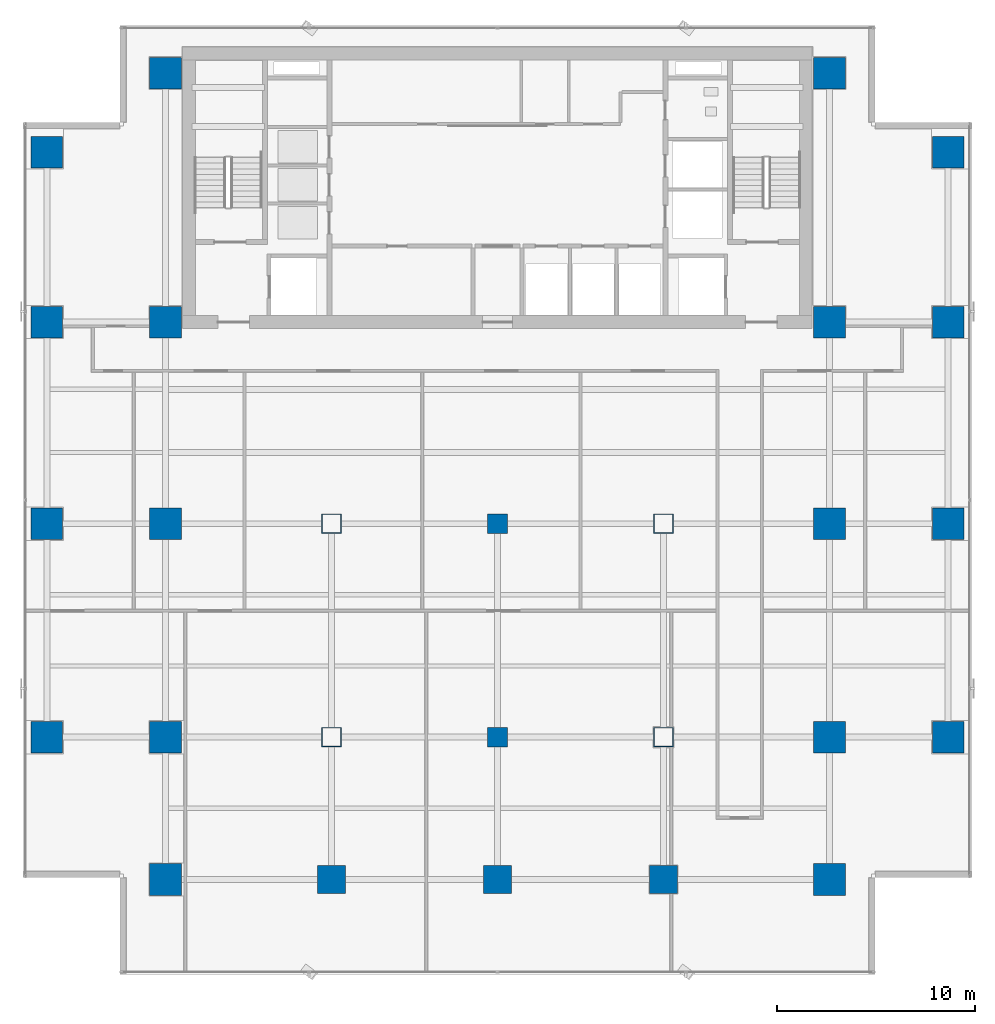
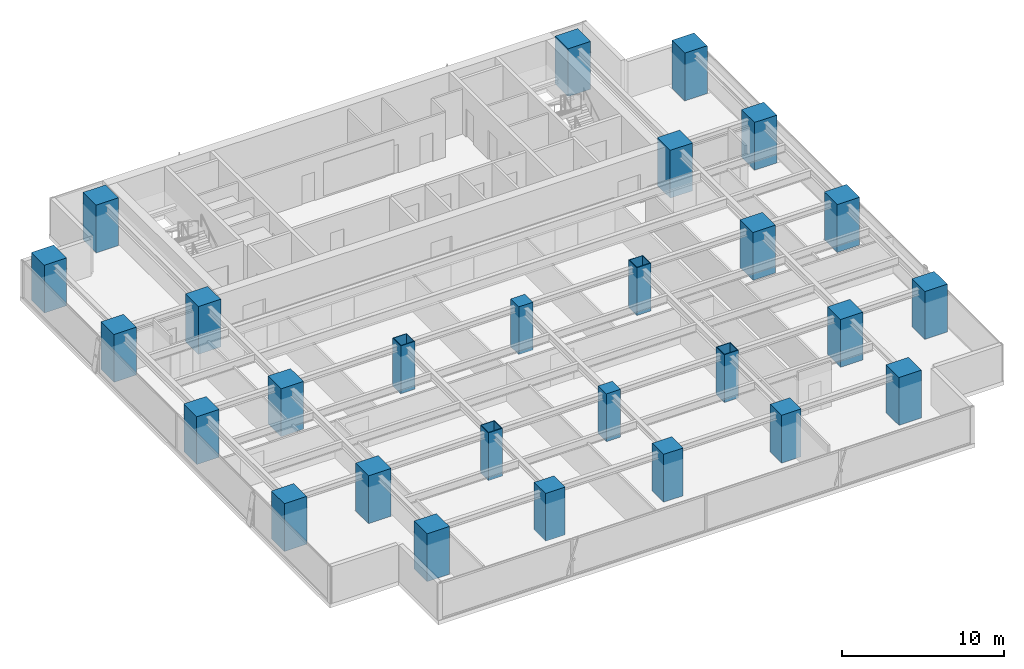
# One storey, part 1 of 29: 27 columns.
"""IFC4 building model written with IfcOpenShell, lengths in metres."""

from ifc_helpers import new_model, si_unit, direction, frame, origin, origin_2d, place, context, subcontext, project, spatial, rectangle, hollow_rectangle, extrude, source, transform, mapped, material, material_profile, profile_set, type_object, element, save


model = new_model("IFC4")

# Units and contexts
model_context = context("Model", 3, precision=1e-05, world=origin(), true_north=direction((0.0, 1.0)))
body_context = subcontext(model_context, "Body", "Model", "MODEL_VIEW")
ifc_project = project(units=[si_unit("LENGTHUNIT", "METRE"), si_unit("AREAUNIT", "SQUARE_METRE"), si_unit("VOLUMEUNIT", "CUBIC_METRE"), si_unit("PLANEANGLEUNIT", "RADIAN"), si_unit("MASSUNIT", "GRAM", prefix="KILO")], contexts=[model_context])

# Site, building, storey
site_placement = place(None, origin())
site = spatial("IfcSite", under=ifc_project, at=site_placement, CompositionType="ELEMENT")
building_placement = place(site_placement, origin())
building = spatial("IfcBuilding", under=site, at=building_placement, Name="Sumidabori Civic Tower", CompositionType="ELEMENT")
storey_placement = place(building_placement, frame((0.0, 0.0, 131.60009765625)))
storey = spatial("IfcBuildingStorey", under=building, at=storey_placement, Name="L33", CompositionType="ELEMENT", Elevation=131.60009765625)

# Columns
ifc_material_1 = material(Name="Concrete C60/75", Category="concrete")
ifc_material_profile_1 = material_profile(ifc_material_1, rectangle(XDim=1.60009765625, YDim=1.60009765625, at=origin_2d()), Name="RC 1600x1600")
ifc_profile_set_1 = profile_set([ifc_material_profile_1], Name="Concrete C60/75")
column_type_1 = type_object("IfcColumnType", Name="CL-MEGA-1600", PredefinedType="COLUMN", material=ifc_profile_set_1)
shared_shape_1 = source(origin(), body_context, "Body", "SweptSolid", [
    extrude(rectangle(XDim=1.60009765625, YDim=1.60009765625, at=origin_2d()), origin(), (0.0, 0.0, 1.0), 3.599853515625),
])
for number, where, z_axis, x_axis, name in (
    (1, (-16.800048828125, -18.0, 0.0), (0.0, 0.0, 1.0), (1.0, 0.0, 0.0), "Column MC-W16-Y18S L33"),
    (2, (-16.800048828125, -10.800048828125, 0.0), (0.0, 0.0, 1.0), (1.0, 0.0, 0.0), "Column MC-W16-Y11S L33"),
    (3, (-16.800048828125, 0.0, 0.0), (0.0, 0.0, 1.0), (1.0, 0.0, 0.0), "Column MC-W16-Y00 L33"),
    (4, (-16.800048828125, 10.199951171875, 0.0), (0.0, 0.0, 1.0), (1.0, 0.0, 0.0), "Column MC-W16-Y10N L33"),
    (5, (-16.800048828125, 22.800048828125, 0.0), (0.0, 0.0, 1.0), (1.0, 0.0, 0.0), "Column MC-W16-Y23N L33"),
    (6, (16.800048828125, -18.0, 0.0), (0.0, 0.0, 1.0), (1.0, 0.0, 0.0), "Column MC-E16-Y18S L33"),
    (7, (16.800048828125, -10.800048828125, 0.0), (0.0, 0.0, 1.0), (1.0, 0.0, 0.0), "Column MC-E16-Y11S L33"),
    (8, (16.800048828125, 0.0, 0.0), (0.0, 0.0, 1.0), (1.0, 0.0, 0.0), "Column MC-E16-Y00 L33"),
    (9, (16.800048828125, 10.199951171875, 0.0), (0.0, 0.0, 1.0), (1.0, 0.0, 0.0), "Column MC-E16-Y10N L33"),
    (10, (16.800048828125, 22.800048828125, 0.0), (0.0, 0.0, 1.0), (1.0, 0.0, 0.0), "Column MC-E16-Y23N L33"),
    (11, (-22.800048828125, -10.800048828125, 0.0), (0.0, 0.0, 1.0), (1.0, 0.0, 0.0), "Column MC-W23-Y11S L33"),
    (12, (-22.800048828125, 0.0, 0.0), (0.0, 0.0, 1.0), (1.0, 0.0, 0.0), "Column MC-W23-Y00 L33"),
    (13, (-22.800048828125, 10.199951171875, 0.0), (0.0, 0.0, 1.0), (1.0, 0.0, 0.0), "Column MC-W23-Y10N L33"),
    (14, (-22.800048828125, 18.800048828125, 0.0), (0.0, 0.0, 1.0), (1.0, 0.0, 0.0), "Column MC-W23-Y19N L33"),
    (15, (22.800048828125, -10.800048828125, 0.0), (0.0, 0.0, 1.0), (1.0, 0.0, 0.0), "Column MC-E23-Y11S L33"),
    (16, (22.800048828125, 0.0, 0.0), (0.0, 0.0, 1.0), (1.0, 0.0, 0.0), "Column MC-E23-Y00 L33"),
    (17, (22.800048828125, 10.199951171875, 0.0), (0.0, 0.0, 1.0), (1.0, 0.0, 0.0), "Column MC-E23-Y10N L33"),
    (18, (22.800048828125, 18.800048828125, 0.0), (0.0, 0.0, 1.0), (1.0, 0.0, 0.0), "Column MC-E23-Y19N L33"),
):
    element("IfcColumn", number, at=place(storey_placement, frame(where, z_axis=z_axis, x_axis=x_axis)), inside=storey, type_object=column_type_1, Name=name, PredefinedType="COLUMN", context=body_context, shape_type="MappedRepresentation", body=[
        mapped(shared_shape_1, transform((0.0, 0.0, 0.0), x_axis=(1.0, 0.0, 0.0), y_axis=(0.0, 1.0, 0.0), z_axis=(0.0, 0.0, 1.0), scale=1.0)),
    ])
ifc_material_2 = material(Name="Steel SM570", Category="steel")
ifc_material_profile_2 = material_profile(ifc_material_2, hollow_rectangle(XDim=1.0, YDim=1.0, WallThickness=0.044921875, at=origin_2d()), Name="SHS 1000x1000x45")
ifc_profile_set_2 = profile_set([ifc_material_profile_2], Name="Steel SM570")
column_type_2 = type_object("IfcColumnType", Name="CL-PORTAL-SHS1000", PredefinedType="COLUMN", material=ifc_profile_set_2)
shared_shape_2 = source(origin(), body_context, "Body", "SweptSolid", [
    extrude(hollow_rectangle(XDim=1.0, YDim=1.0, WallThickness=0.044921875, at=origin_2d()), origin(), (0.0, 0.0, 1.0), 3.599853515625),
])
for number, where, z_axis, x_axis, name in (
    (19, (-8.39990234375, 0.0, 0.0), (0.0, 0.0, 1.0), (1.0, 0.0, 0.0), "Column MC-W08-Y00 L33"),
    (20, (-8.39990234375, -10.800048828125, 0.0), (0.0, 0.0, 1.0), (1.0, 0.0, 0.0), "Column MC-W08-Y11S L33"),
    (21, (8.39990234375, 0.0, 0.0), (0.0, 0.0, 1.0), (1.0, 0.0, 0.0), "Column MC-E08-Y00 L33"),
    (22, (8.39990234375, -10.800048828125, 0.0), (0.0, 0.0, 1.0), (1.0, 0.0, 0.0), "Column MC-E08-Y11S L33"),
):
    element("IfcColumn", number, at=place(storey_placement, frame(where, z_axis=z_axis, x_axis=x_axis)), inside=storey, type_object=column_type_2, Name=name, PredefinedType="COLUMN", context=body_context, shape_type="MappedRepresentation", body=[
        mapped(shared_shape_2, transform((0.0, 0.0, 0.0), x_axis=(1.0, 0.0, 0.0), y_axis=(0.0, 1.0, 0.0), z_axis=(0.0, 0.0, 1.0), scale=1.0)),
    ])
ifc_material_profile_3 = material_profile(ifc_material_1, rectangle(XDim=1.39990234375, YDim=1.39990234375, at=origin_2d()), Name="RC 1400x1400")
ifc_profile_set_3 = profile_set([ifc_material_profile_3], Name="Concrete C60/75")
column_type_3 = type_object("IfcColumnType", Name="CL-MEGA-1400", PredefinedType="COLUMN", material=ifc_profile_set_3)
shared_shape_3 = source(origin(), body_context, "Body", "SweptSolid", [
    extrude(rectangle(XDim=1.39990234375, YDim=1.39990234375, at=origin_2d()), origin(), (0.0, 0.0, 1.0), 3.599853515625),
])
for number, where, z_axis, x_axis, name in (
    (23, (-8.39990234375, -18.0, 0.0), (0.0, 0.0, 1.0), (1.0, 0.0, 0.0), "Column MC-W08-Y18S L33"),
    (24, (8.39990234375, -18.0, 0.0), (0.0, 0.0, 1.0), (1.0, 0.0, 0.0), "Column MC-E08-Y18S L33"),
    (25, (0.0, -18.0, 0.0), (0.0, 0.0, 1.0), (1.0, 0.0, 0.0), "Column MC-C00-Y18S L33"),
):
    element("IfcColumn", number, at=place(storey_placement, frame(where, z_axis=z_axis, x_axis=x_axis)), inside=storey, type_object=column_type_3, Name=name, PredefinedType="COLUMN", context=body_context, shape_type="MappedRepresentation", body=[
        mapped(shared_shape_3, transform((0.0, 0.0, 0.0), x_axis=(1.0, 0.0, 0.0), y_axis=(0.0, 1.0, 0.0), z_axis=(0.0, 0.0, 1.0), scale=1.0)),
    ])
ifc_material_3 = material(Name="Concrete C50/60", Category="concrete")
ifc_material_profile_4 = material_profile(ifc_material_3, rectangle(XDim=1.0, YDim=1.0, at=origin_2d()), Name="RC 1000x1000")
ifc_profile_set_4 = profile_set([ifc_material_profile_4], Name="Concrete C50/60")
column_type_4 = type_object("IfcColumnType", Name="CL-INT-1000", PredefinedType="COLUMN", material=ifc_profile_set_4)
shared_shape_4 = source(origin(), body_context, "Body", "SweptSolid", [
    extrude(rectangle(XDim=1.0, YDim=1.0, at=origin_2d()), origin(), (0.0, 0.0, 1.0), 3.599853515625),
])
for number, where, z_axis, x_axis, name in (
    (26, (0.0, -10.800048828125, 0.0), (0.0, 0.0, 1.0), (1.0, 0.0, 0.0), "Column MC-C00-Y11S L33"),
    (27, (0.0, 0.0, 0.0), (0.0, 0.0, 1.0), (1.0, 0.0, 0.0), "Column MC-C00-Y00 L33"),
):
    element("IfcColumn", number, at=place(storey_placement, frame(where, z_axis=z_axis, x_axis=x_axis)), inside=storey, type_object=column_type_4, Name=name, PredefinedType="COLUMN", context=body_context, shape_type="MappedRepresentation", body=[
        mapped(shared_shape_4, transform((0.0, 0.0, 0.0), x_axis=(1.0, 0.0, 0.0), y_axis=(0.0, 1.0, 0.0), z_axis=(0.0, 0.0, 1.0), scale=1.0)),
    ])

save(model, "model.ifc")
